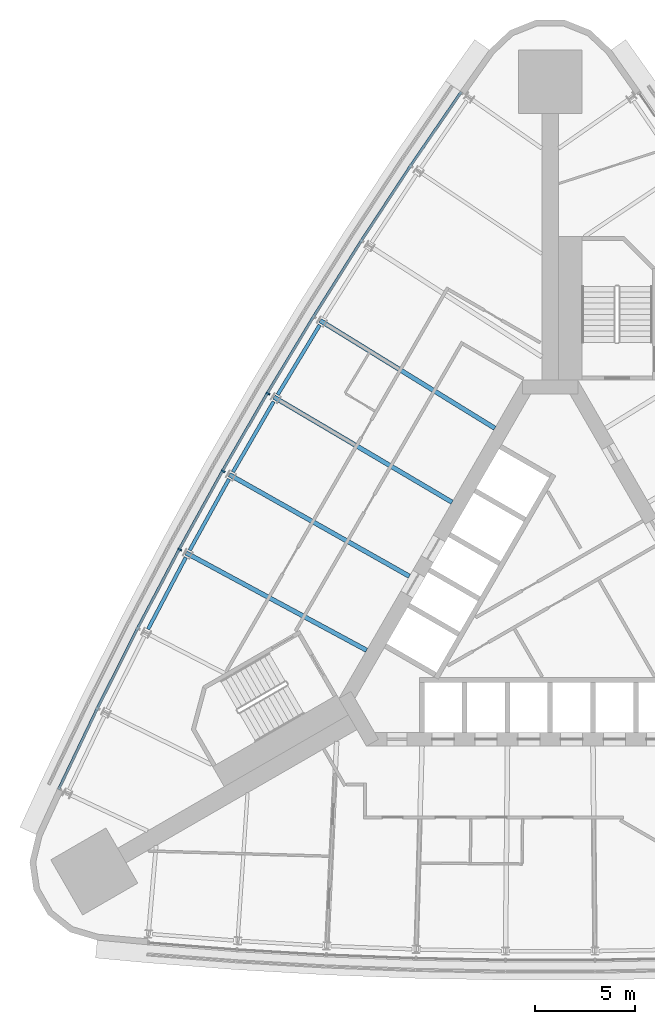
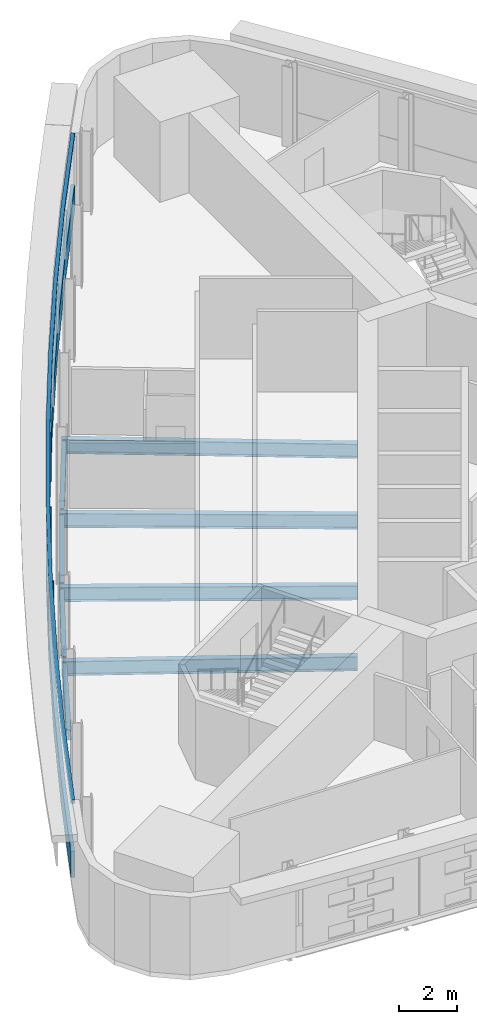
# One storey, part 4 of 14: 8 beams, 5 members, 1 element without a shape of its own.
"""IFC4 building model written with IfcOpenShell, lengths in metres."""

from ifc_helpers import new_model, si_unit, direction, frame, origin, origin_2d, place, context, subcontext, project, spatial, polyline, rectangle, i_section, outline, extrude, material, material_profile, profile_set, type_object, element, aggregate, save


model = new_model("IFC4")

# Units and contexts
model_context = context("Model", 3, precision=1e-05, world=origin(), true_north=direction((0.0, 1.0)))
body_context = subcontext(model_context, "Body", "Model", "MODEL_VIEW")
ifc_project = project(units=[si_unit("LENGTHUNIT", "METRE"), si_unit("AREAUNIT", "SQUARE_METRE"), si_unit("VOLUMEUNIT", "CUBIC_METRE"), si_unit("PLANEANGLEUNIT", "RADIAN"), si_unit("MASSUNIT", "GRAM", prefix="KILO")], contexts=[model_context])

# Site, building, storey
site_placement = place(None, origin())
site = spatial("IfcSite", under=ifc_project, at=site_placement, CompositionType="ELEMENT")
building_placement = place(site_placement, origin())
building = spatial("IfcBuilding", under=site, at=building_placement, Name="Noor Cloister Tower", CompositionType="ELEMENT")
storey_placement = place(building_placement, frame((0.0, 0.0, 72.60009765625)))
storey = spatial("IfcBuildingStorey", under=building, at=storey_placement, Name="L18", CompositionType="ELEMENT", Elevation=72.60009765625)

# Curtain wall, members
ifc_material_1 = material(Name="Aluminium 6063-T6 anodised", Category="aluminium")
curtain_wall_type = type_object("IfcCurtainWallType", Name="Ribbon curtain wall, lower tower CW1", PredefinedType="NOTDEFINED", material=ifc_material_1)
curtain_wall_placement = place(storey_placement, origin())
curtain_wall = element("IfcCurtainWall", 1, at=curtain_wall_placement, inside=storey, type_object=curtain_wall_type, Name="CW1 L18 NW run 1", PredefinedType="NOTDEFINED")
ifc_material_2 = material(Name="Aluminium 6063-T6 anodised", Category="aluminium")
member_type_1 = type_object("IfcMemberType", Name="Head transom CW1 150", PredefinedType="USERDEFINED", material=ifc_material_2)
member_1_placement = place(storey_placement, frame((0.0, 0.0, 3.14990234375)))
member_1 = element("IfcMember", 2, at=member_1_placement, type_object=member_type_1, Name="CW1 head transom", ObjectType="TRANSOM", PredefinedType="USERDEFINED", context=body_context, shape_type="SweptSolid", body=[
    extrude(outline(polyline([(-4.524169921875, 25.96533203125), (-7.06787109375, 22.25341796875), (-9.53955078125, 18.492919921875), (-11.938232421875, 14.685546875), (-14.262939453125, 10.832763671875), (-16.5126953125, 6.935546875), (-18.687255859375, 2.995849609375), (-20.78515625, -0.985107421875), (-22.805908203125, -5.005615234375), (-24.748779296875, -9.064697265625), (-24.62255859375, -9.125), (-22.68017578125, -5.0673828125), (-20.66064453125, -1.049072265625), (-18.56396484375, 2.929443359375), (-16.390869140625, 6.86669921875), (-14.142333984375, 10.761474609375), (-11.81884765625, 14.612060546875), (-9.421875, 18.417236328125), (-6.95166015625, 22.17529296875), (-4.40869140625, 25.88623046875), (-4.524169921875, 25.96533203125)])), origin(), (0.0, 0.0, 1.0), 0.14990234375),
])
ifc_material_3 = material(Name="Aluminium 6063-T6 anodised", Category="aluminium")
ifc_material_profile_1 = material_profile(ifc_material_3, rectangle(XDim=0.199951171875, YDim=0.080078125, at=origin_2d()), Name="200 x 80 mullion")
ifc_profile_set_1 = profile_set([ifc_material_profile_1], Name="Aluminium 6063-T6 anodised")
member_type_2 = type_object("IfcMemberType", Name="Mullion CW1 80 x 200", PredefinedType="MULLION", material=ifc_profile_set_1)
member_2_placement = place(storey_placement, frame((-14.1767578125, 10.78173828125, 1.099853515625), z_axis=(0.0, 0.0, 1.0), x_axis=(0.861162110029, -0.508330424282, 0.0)))
member_2 = element("IfcMember", 3, at=member_2_placement, type_object=member_type_2, Name="CW1 mullion 5", PredefinedType="MULLION", context=body_context, shape_type="SweptSolid", body=[
    extrude(rectangle(XDim=0.199951171875, YDim=0.080078125, at=origin_2d()), origin(), (0.0, 0.0, 1.0), 2.050048828125),
])
member_3_placement = place(storey_placement, frame((-16.42578125, 6.886474609375, 1.099853515625), z_axis=(0.0, 0.0, 1.0), x_axis=(0.870808115959, -0.49162305192, 0.0)))
member_3 = element("IfcMember", 4, at=member_3_placement, type_object=member_type_2, Name="CW1 mullion 6", PredefinedType="MULLION", context=body_context, shape_type="SweptSolid", body=[
    extrude(rectangle(XDim=0.199951171875, YDim=0.080078125, at=origin_2d()), origin(), (0.0, 0.0, 1.0), 2.050048828125),
])
member_4_placement = place(storey_placement, frame((-18.59912109375, 2.948486328125, 1.099853515625), z_axis=(0.0, 0.0, 1.0), x_axis=(0.880130014741, -0.474732721805, 0.0)))
member_4 = element("IfcMember", 5, at=member_4_placement, type_object=member_type_2, Name="CW1 mullion 7", PredefinedType="MULLION", context=body_context, shape_type="SweptSolid", body=[
    extrude(rectangle(XDim=0.199951171875, YDim=0.080078125, at=origin_2d()), origin(), (0.0, 0.0, 1.0), 2.050048828125),
])

# Beams
ifc_material_4 = material(Name="Steel ASTM A992 Gr 50", Category="steel")
ifc_material_profile_2 = material_profile(ifc_material_4, i_section(OverallWidth=0.22802734375, OverallDepth=0.60205078125, WebThickness=0.010498046875, FlangeThickness=0.014892578125, FilletRadius=0.0126953125, at=origin_2d()), Name="W610x101")
ifc_profile_set_2 = profile_set([ifc_material_profile_2], Name="Steel ASTM A992 Gr 50")
beam_type_1 = type_object("IfcBeamType", Name="Radial beam W610x101", PredefinedType="BEAM", material=ifc_profile_set_2)
beam_1_placement = place(storey_placement, frame((-11.552490234375, 14.44775390625, -0.5009765625), z_axis=(0.851198388975, -0.524844074565, 0.0), x_axis=(0.524844074565, 0.851198388975, 0.0)))
element("IfcBeam", 6, at=beam_1_placement, inside=storey, type_object=beam_type_1, Name="Radial beam NW 04 L18", PredefinedType="BEAM", context=body_context, shape_type="SweptSolid", body=[
    extrude(i_section(OverallWidth=0.22802734375, OverallDepth=0.60205078125, WebThickness=0.010498046875, FlangeThickness=0.014892578125, FilletRadius=0.0126953125, at=origin_2d()), origin(), (0.0, 0.0, 1.0), 10.304931640625),
])
beam_2_placement = place(storey_placement, frame((-13.872802734375, 10.6025390625, -0.5009765625), z_axis=(0.861158045586, -0.508337309789, 0.0), x_axis=(0.508337309789, 0.861158045586, 0.0)))
element("IfcBeam", 7, at=beam_2_placement, inside=storey, type_object=beam_type_1, Name="Radial beam NW 05 L18", PredefinedType="BEAM", context=body_context, shape_type="SweptSolid", body=[
    extrude(i_section(OverallWidth=0.22802734375, OverallDepth=0.60205078125, WebThickness=0.010498046875, FlangeThickness=0.014892578125, FilletRadius=0.0126953125, at=origin_2d()), origin(), (0.0, 0.0, 1.0), 10.387939453125),
])
beam_3_placement = place(storey_placement, frame((-16.118408203125, 6.712890625, -0.5009765625), z_axis=(0.870813111401, -0.491614203427, 0.0), x_axis=(0.491614203427, 0.870813111401, 0.0)))
element("IfcBeam", 8, at=beam_3_placement, inside=storey, type_object=beam_type_1, Name="Radial beam NW 06 L18", PredefinedType="BEAM", context=body_context, shape_type="SweptSolid", body=[
    extrude(i_section(OverallWidth=0.22802734375, OverallDepth=0.60205078125, WebThickness=0.010498046875, FlangeThickness=0.014892578125, FilletRadius=0.0126953125, at=origin_2d()), origin(), (0.0, 0.0, 1.0), 10.3876953125),
])
beam_4_placement = place(storey_placement, frame((-18.28857421875, 2.78076171875, -0.5009765625), z_axis=(0.880137671606, -0.474718526097, 0.0), x_axis=(0.474718526097, 0.880137671606, 0.0)))
element("IfcBeam", 9, at=beam_4_placement, inside=storey, type_object=beam_type_1, Name="Radial beam NW 07 L18", PredefinedType="BEAM", context=body_context, shape_type="SweptSolid", body=[
    extrude(i_section(OverallWidth=0.22802734375, OverallDepth=0.60205078125, WebThickness=0.010498046875, FlangeThickness=0.014892578125, FilletRadius=0.0126953125, at=origin_2d()), origin(), (0.0, 0.0, 1.0), 10.3046875),
])

# Member
ifc_material_5 = material(Name="Aluminium 6063-T6 anodised", Category="aluminium")
member_type_3 = type_object("IfcMemberType", Name="Sill transom CW1 1100", PredefinedType="USERDEFINED", material=ifc_material_5)
member_5_placement = place(storey_placement, origin())
member_5 = element("IfcMember", 10, at=member_5_placement, type_object=member_type_3, Name="CW1 sill transom", ObjectType="TRANSOM", PredefinedType="USERDEFINED", context=body_context, shape_type="SweptSolid", body=[
    extrude(outline(polyline([(-4.524169921875, 25.96533203125), (-7.06787109375, 22.25341796875), (-9.53955078125, 18.492919921875), (-11.938232421875, 14.685546875), (-14.262939453125, 10.832763671875), (-16.5126953125, 6.935546875), (-18.687255859375, 2.995849609375), (-20.78515625, -0.985107421875), (-22.805908203125, -5.005615234375), (-24.748779296875, -9.064697265625), (-24.62255859375, -9.125), (-22.68017578125, -5.0673828125), (-20.66064453125, -1.049072265625), (-18.56396484375, 2.929443359375), (-16.390869140625, 6.86669921875), (-14.142333984375, 10.761474609375), (-11.81884765625, 14.612060546875), (-9.421875, 18.417236328125), (-6.95166015625, 22.17529296875), (-4.40869140625, 25.88623046875), (-4.524169921875, 25.96533203125)])), origin(), (0.0, 0.0, 1.0), 1.099853515625),
])

aggregate(curtain_wall, [member_2, member_3, member_4, member_5, member_1])

# Beams
ifc_material_6 = material(Name="Steel ASTM A992 Gr 50", Category="steel")
ifc_material_profile_3 = material_profile(ifc_material_6, i_section(OverallWidth=0.177978515625, OverallDepth=0.406005859375, WebThickness=0.0078125, FlangeThickness=0.0126953125, FilletRadius=0.01025390625, at=origin_2d()), Name="W410x60")
ifc_profile_set_3 = profile_set([ifc_material_profile_3], Name="Steel ASTM A992 Gr 50")
beam_type_2 = type_object("IfcBeamType", Name="Spandrel beam W410x60", PredefinedType="SPANDREL", material=ifc_profile_set_3)
beam_5_placement = place(storey_placement, frame((-11.57421875, 14.223876953125, -0.403076171875), z_axis=(-0.516638531393, -0.856203613564, 0.0), x_axis=(0.856203613564, -0.516638531393, 0.0)))
element("IfcBeam", 11, at=beam_5_placement, inside=storey, type_object=beam_type_2, Name="Spandrel beam NW 04 L18", PredefinedType="SPANDREL", context=body_context, shape_type="SweptSolid", body=[
    extrude(i_section(OverallWidth=0.177978515625, OverallDepth=0.406005859375, WebThickness=0.0078125, FlangeThickness=0.0126953125, FilletRadius=0.01025390625, at=origin_2d()), origin(), (0.0, 0.0, 1.0), 4.085205078125),
])
beam_6_placement = place(storey_placement, frame((-13.89013671875, 10.378173828125, -0.403076171875), z_axis=(-0.500001788232, -0.866024371346, 0.0), x_axis=(0.866024371346, -0.500001788232, 0.0)))
element("IfcBeam", 12, at=beam_6_placement, inside=storey, type_object=beam_type_2, Name="Spandrel beam NW 05 L18", PredefinedType="SPANDREL", context=body_context, shape_type="SweptSolid", body=[
    extrude(i_section(OverallWidth=0.177978515625, OverallDepth=0.406005859375, WebThickness=0.0078125, FlangeThickness=0.0126953125, FilletRadius=0.01025390625, at=origin_2d()), origin(), (0.0, 0.0, 1.0), 4.08544921875),
])
beam_7_placement = place(storey_placement, frame((-16.131591796875, 6.48828125, -0.403076171875), z_axis=(-0.483180030896, -0.875521020732, 0.0), x_axis=(0.875521020732, -0.483180030896, 0.0)))
element("IfcBeam", 13, at=beam_7_placement, inside=storey, type_object=beam_type_2, Name="Spandrel beam NW 06 L18", PredefinedType="SPANDREL", context=body_context, shape_type="SweptSolid", body=[
    extrude(i_section(OverallWidth=0.177978515625, OverallDepth=0.406005859375, WebThickness=0.0078125, FlangeThickness=0.0126953125, FilletRadius=0.01025390625, at=origin_2d()), origin(), (0.0, 0.0, 1.0), 4.085205078125),
])
beam_8_placement = place(storey_placement, frame((-18.29736328125, 2.55615234375, -0.403076171875), z_axis=(-0.466187250384, -0.884686072898, 0.0), x_axis=(0.884686072898, -0.466187250384, 0.0)))
element("IfcBeam", 14, at=beam_8_placement, inside=storey, type_object=beam_type_2, Name="Spandrel beam NW 07 L18", PredefinedType="SPANDREL", context=body_context, shape_type="SweptSolid", body=[
    extrude(i_section(OverallWidth=0.177978515625, OverallDepth=0.406005859375, WebThickness=0.0078125, FlangeThickness=0.0126953125, FilletRadius=0.01025390625, at=origin_2d()), origin(), (0.0, 0.0, 1.0), 4.08544921875),
])

save(model, "model.ifc")
